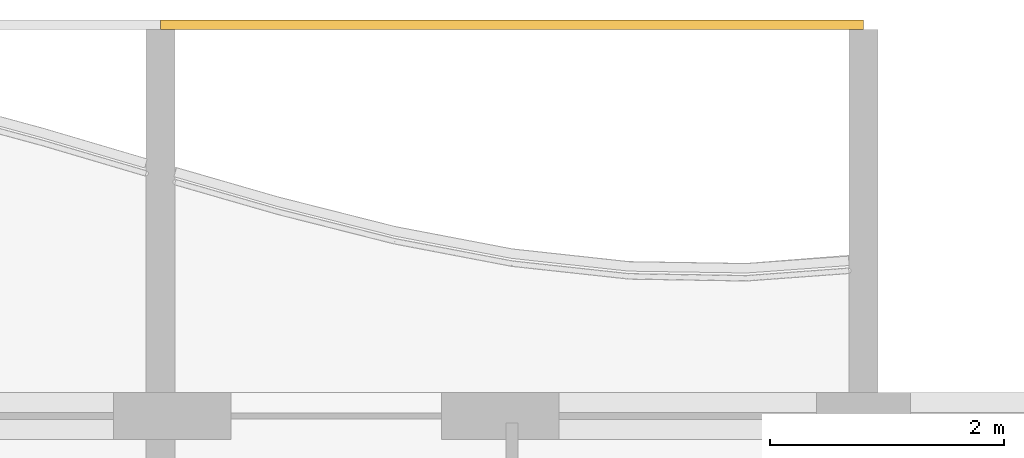
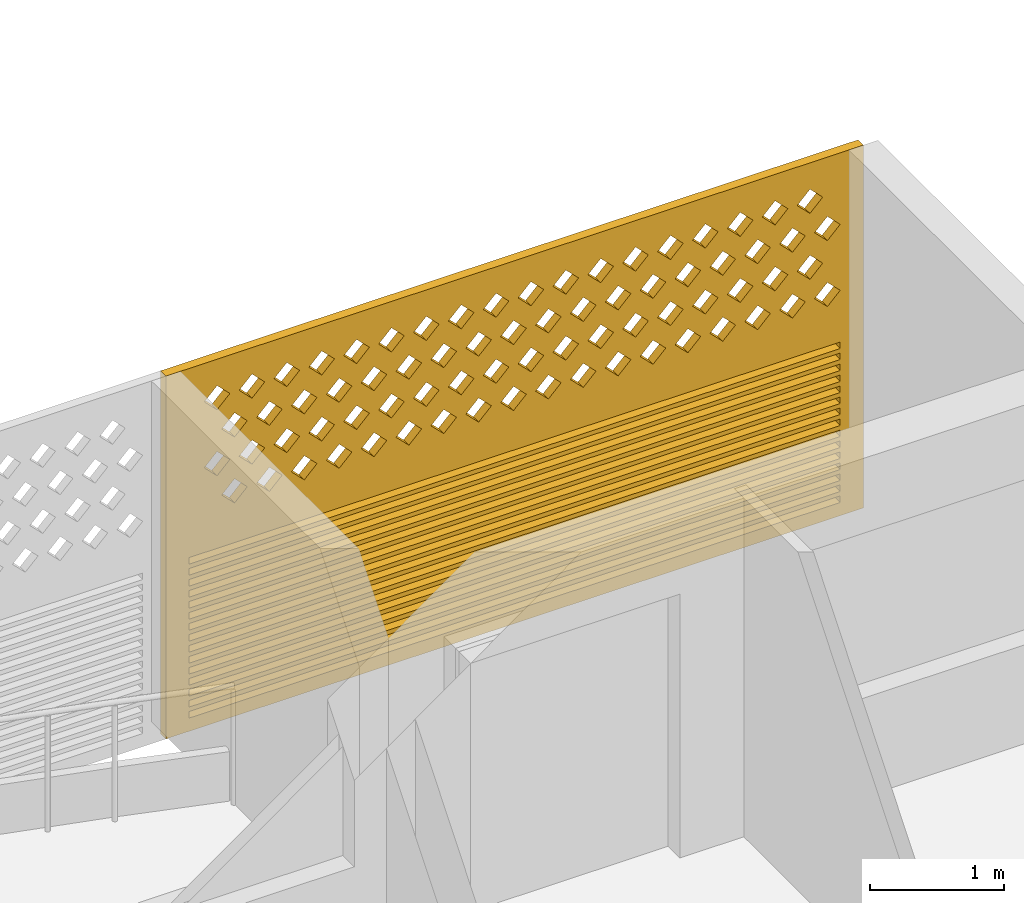
# One storey, part 19 of 27: 1 covering.
"""IFC4 building model written with IfcOpenShell, lengths in metres."""

from ifc_helpers import new_model, si_unit, direction, frame, origin, place, context, subcontext, project, spatial, polyline, outline, extrude, source, transform, mapped, material, material_profile, profile_set, type_object, element, save


model = new_model("IFC4")

# Units and contexts
model_context = context("Model", 3, precision=1e-05, world=origin(), true_north=direction((0.0, 1.0)))
body_context = subcontext(model_context, "Body", "Model", "MODEL_VIEW")
ifc_project = project(units=[si_unit("LENGTHUNIT", "METRE"), si_unit("AREAUNIT", "SQUARE_METRE"), si_unit("VOLUMEUNIT", "CUBIC_METRE"), si_unit("PLANEANGLEUNIT", "RADIAN"), si_unit("MASSUNIT", "GRAM", prefix="KILO")], contexts=[model_context])

# Site, building, storey
site_placement = place(None, origin())
site = spatial("IfcSite", under=ifc_project, at=site_placement, CompositionType="ELEMENT")
building_placement = place(site_placement, origin())
building = spatial("IfcBuilding", under=site, at=building_placement, Name="Poui Terraces", CompositionType="ELEMENT")
storey_placement = place(building_placement, frame((0.0, 0.0, 195.0)))
storey = spatial("IfcBuildingStorey", under=building, at=storey_placement, Name="L54", CompositionType="ELEMENT", Elevation=195.0)

# Covering
ifc_material = material(Name="Terracotta screen", Category="masonry")
ifc_material_profile = material_profile(ifc_material, outline(polyline([(-3.0, -1.64990234375), (3.0, -1.64990234375), (3.0, 1.64990234375), (-3.0, 1.64990234375), (-3.0, -1.64990234375)]), holes=[polyline([(-2.800048828125, 0.39990234375), (-2.68994140625, 0.2900390625), (-2.580078125, 0.39990234375), (-2.68994140625, 0.510009765625), (-2.800048828125, 0.39990234375)]), polyline([(-2.5, 0.39990234375), (-2.389892578125, 0.2900390625), (-2.280029296875, 0.39990234375), (-2.389892578125, 0.510009765625), (-2.5, 0.39990234375)]), polyline([(-2.199951171875, 0.39990234375), (-2.090087890625, 0.2900390625), (-1.97998046875, 0.39990234375), (-2.090087890625, 0.510009765625), (-2.199951171875, 0.39990234375)]), polyline([(-1.89990234375, 0.39990234375), (-1.7900390625, 0.2900390625), (-1.679931640625, 0.39990234375), (-1.7900390625, 0.510009765625), (-1.89990234375, 0.39990234375)]), polyline([(-1.60009765625, 0.39990234375), (-1.489990234375, 0.2900390625), (-1.3798828125, 0.39990234375), (-1.489990234375, 0.510009765625), (-1.60009765625, 0.39990234375)]), polyline([(-1.300048828125, 0.39990234375), (-1.18994140625, 0.2900390625), (-1.080078125, 0.39990234375), (-1.18994140625, 0.510009765625), (-1.300048828125, 0.39990234375)]), polyline([(-1.0, 0.39990234375), (-0.889892578125, 0.2900390625), (-0.780029296875, 0.39990234375), (-0.889892578125, 0.510009765625), (-1.0, 0.39990234375)]), polyline([(-0.699951171875, 0.39990234375), (-0.590087890625, 0.2900390625), (-0.47998046875, 0.39990234375), (-0.590087890625, 0.510009765625), (-0.699951171875, 0.39990234375)]), polyline([(-0.39990234375, 0.39990234375), (-0.2900390625, 0.2900390625), (-0.179931640625, 0.39990234375), (-0.2900390625, 0.510009765625), (-0.39990234375, 0.39990234375)]), polyline([(-0.10009765625, 0.39990234375), (0.010009765625, 0.2900390625), (0.1201171875, 0.39990234375), (0.010009765625, 0.510009765625), (-0.10009765625, 0.39990234375)]), polyline([(0.199951171875, 0.39990234375), (0.31005859375, 0.2900390625), (0.419921875, 0.39990234375), (0.31005859375, 0.510009765625), (0.199951171875, 0.39990234375)]), polyline([(0.5, 0.39990234375), (0.610107421875, 0.2900390625), (0.719970703125, 0.39990234375), (0.610107421875, 0.510009765625), (0.5, 0.39990234375)]), polyline([(0.800048828125, 0.39990234375), (0.909912109375, 0.2900390625), (1.02001953125, 0.39990234375), (0.909912109375, 0.510009765625), (0.800048828125, 0.39990234375)]), polyline([(1.10009765625, 0.39990234375), (1.2099609375, 0.2900390625), (1.320068359375, 0.39990234375), (1.2099609375, 0.510009765625), (1.10009765625, 0.39990234375)]), polyline([(1.39990234375, 0.39990234375), (1.510009765625, 0.2900390625), (1.6201171875, 0.39990234375), (1.510009765625, 0.510009765625), (1.39990234375, 0.39990234375)]), polyline([(1.699951171875, 0.39990234375), (1.81005859375, 0.2900390625), (1.919921875, 0.39990234375), (1.81005859375, 0.510009765625), (1.699951171875, 0.39990234375)]), polyline([(2.0, 0.39990234375), (2.110107421875, 0.2900390625), (2.219970703125, 0.39990234375), (2.110107421875, 0.510009765625), (2.0, 0.39990234375)]), polyline([(2.300048828125, 0.39990234375), (2.409912109375, 0.2900390625), (2.52001953125, 0.39990234375), (2.409912109375, 0.510009765625), (2.300048828125, 0.39990234375)]), polyline([(-2.64990234375, 0.699951171875), (-2.5400390625, 0.590087890625), (-2.429931640625, 0.699951171875), (-2.5400390625, 0.81005859375), (-2.64990234375, 0.699951171875)]), polyline([(-2.35009765625, 0.699951171875), (-2.239990234375, 0.590087890625), (-2.1298828125, 0.699951171875), (-2.239990234375, 0.81005859375), (-2.35009765625, 0.699951171875)]), polyline([(-2.050048828125, 0.699951171875), (-1.93994140625, 0.590087890625), (-1.830078125, 0.699951171875), (-1.93994140625, 0.81005859375), (-2.050048828125, 0.699951171875)]), polyline([(-1.75, 0.699951171875), (-1.639892578125, 0.590087890625), (-1.530029296875, 0.699951171875), (-1.639892578125, 0.81005859375), (-1.75, 0.699951171875)]), polyline([(-1.449951171875, 0.699951171875), (-1.340087890625, 0.590087890625), (-1.22998046875, 0.699951171875), (-1.340087890625, 0.81005859375), (-1.449951171875, 0.699951171875)]), polyline([(-1.14990234375, 0.699951171875), (-1.0400390625, 0.590087890625), (-0.929931640625, 0.699951171875), (-1.0400390625, 0.81005859375), (-1.14990234375, 0.699951171875)]), polyline([(-0.85009765625, 0.699951171875), (-0.739990234375, 0.590087890625), (-0.6298828125, 0.699951171875), (-0.739990234375, 0.81005859375), (-0.85009765625, 0.699951171875)]), polyline([(-0.550048828125, 0.699951171875), (-0.43994140625, 0.590087890625), (-0.330078125, 0.699951171875), (-0.43994140625, 0.81005859375), (-0.550048828125, 0.699951171875)]), polyline([(-0.25, 0.699951171875), (-0.139892578125, 0.590087890625), (-0.030029296875, 0.699951171875), (-0.139892578125, 0.81005859375), (-0.25, 0.699951171875)]), polyline([(0.050048828125, 0.699951171875), (0.159912109375, 0.590087890625), (0.27001953125, 0.699951171875), (0.159912109375, 0.81005859375), (0.050048828125, 0.699951171875)]), polyline([(0.35009765625, 0.699951171875), (0.4599609375, 0.590087890625), (0.570068359375, 0.699951171875), (0.4599609375, 0.81005859375), (0.35009765625, 0.699951171875)]), polyline([(0.64990234375, 0.699951171875), (0.760009765625, 0.590087890625), (0.8701171875, 0.699951171875), (0.760009765625, 0.81005859375), (0.64990234375, 0.699951171875)]), polyline([(0.949951171875, 0.699951171875), (1.06005859375, 0.590087890625), (1.169921875, 0.699951171875), (1.06005859375, 0.81005859375), (0.949951171875, 0.699951171875)]), polyline([(1.25, 0.699951171875), (1.360107421875, 0.590087890625), (1.469970703125, 0.699951171875), (1.360107421875, 0.81005859375), (1.25, 0.699951171875)]), polyline([(1.550048828125, 0.699951171875), (1.659912109375, 0.590087890625), (1.77001953125, 0.699951171875), (1.659912109375, 0.81005859375), (1.550048828125, 0.699951171875)]), polyline([(1.85009765625, 0.699951171875), (1.9599609375, 0.590087890625), (2.070068359375, 0.699951171875), (1.9599609375, 0.81005859375), (1.85009765625, 0.699951171875)]), polyline([(2.14990234375, 0.699951171875), (2.260009765625, 0.590087890625), (2.3701171875, 0.699951171875), (2.260009765625, 0.81005859375), (2.14990234375, 0.699951171875)]), polyline([(2.449951171875, 0.699951171875), (2.56005859375, 0.590087890625), (2.669921875, 0.699951171875), (2.56005859375, 0.81005859375), (2.449951171875, 0.699951171875)]), polyline([(-2.800048828125, 1.0), (-2.68994140625, 0.889892578125), (-2.580078125, 1.0), (-2.68994140625, 1.110107421875), (-2.800048828125, 1.0)]), polyline([(-2.5, 1.0), (-2.389892578125, 0.889892578125), (-2.280029296875, 1.0), (-2.389892578125, 1.110107421875), (-2.5, 1.0)]), polyline([(-2.199951171875, 1.0), (-2.090087890625, 0.889892578125), (-1.97998046875, 1.0), (-2.090087890625, 1.110107421875), (-2.199951171875, 1.0)]), polyline([(-1.89990234375, 1.0), (-1.7900390625, 0.889892578125), (-1.679931640625, 1.0), (-1.7900390625, 1.110107421875), (-1.89990234375, 1.0)]), polyline([(-1.60009765625, 1.0), (-1.489990234375, 0.889892578125), (-1.3798828125, 1.0), (-1.489990234375, 1.110107421875), (-1.60009765625, 1.0)]), polyline([(-1.300048828125, 1.0), (-1.18994140625, 0.889892578125), (-1.080078125, 1.0), (-1.18994140625, 1.110107421875), (-1.300048828125, 1.0)]), polyline([(-1.0, 1.0), (-0.889892578125, 0.889892578125), (-0.780029296875, 1.0), (-0.889892578125, 1.110107421875), (-1.0, 1.0)]), polyline([(-0.699951171875, 1.0), (-0.590087890625, 0.889892578125), (-0.47998046875, 1.0), (-0.590087890625, 1.110107421875), (-0.699951171875, 1.0)]), polyline([(-0.39990234375, 1.0), (-0.2900390625, 0.889892578125), (-0.179931640625, 1.0), (-0.2900390625, 1.110107421875), (-0.39990234375, 1.0)]), polyline([(-0.10009765625, 1.0), (0.010009765625, 0.889892578125), (0.1201171875, 1.0), (0.010009765625, 1.110107421875), (-0.10009765625, 1.0)]), polyline([(0.199951171875, 1.0), (0.31005859375, 0.889892578125), (0.419921875, 1.0), (0.31005859375, 1.110107421875), (0.199951171875, 1.0)]), polyline([(0.5, 1.0), (0.610107421875, 0.889892578125), (0.719970703125, 1.0), (0.610107421875, 1.110107421875), (0.5, 1.0)]), polyline([(0.800048828125, 1.0), (0.909912109375, 0.889892578125), (1.02001953125, 1.0), (0.909912109375, 1.110107421875), (0.800048828125, 1.0)]), polyline([(1.10009765625, 1.0), (1.2099609375, 0.889892578125), (1.320068359375, 1.0), (1.2099609375, 1.110107421875), (1.10009765625, 1.0)]), polyline([(1.39990234375, 1.0), (1.510009765625, 0.889892578125), (1.6201171875, 1.0), (1.510009765625, 1.110107421875), (1.39990234375, 1.0)]), polyline([(1.699951171875, 1.0), (1.81005859375, 0.889892578125), (1.919921875, 1.0), (1.81005859375, 1.110107421875), (1.699951171875, 1.0)]), polyline([(2.0, 1.0), (2.110107421875, 0.889892578125), (2.219970703125, 1.0), (2.110107421875, 1.110107421875), (2.0, 1.0)]), polyline([(2.300048828125, 1.0), (2.409912109375, 0.889892578125), (2.52001953125, 1.0), (2.409912109375, 1.110107421875), (2.300048828125, 1.0)]), polyline([(-2.64990234375, 1.300048828125), (-2.5400390625, 1.18994140625), (-2.429931640625, 1.300048828125), (-2.5400390625, 1.409912109375), (-2.64990234375, 1.300048828125)]), polyline([(-2.35009765625, 1.300048828125), (-2.239990234375, 1.18994140625), (-2.1298828125, 1.300048828125), (-2.239990234375, 1.409912109375), (-2.35009765625, 1.300048828125)]), polyline([(-2.050048828125, 1.300048828125), (-1.93994140625, 1.18994140625), (-1.830078125, 1.300048828125), (-1.93994140625, 1.409912109375), (-2.050048828125, 1.300048828125)]), polyline([(-1.75, 1.300048828125), (-1.639892578125, 1.18994140625), (-1.530029296875, 1.300048828125), (-1.639892578125, 1.409912109375), (-1.75, 1.300048828125)]), polyline([(-1.449951171875, 1.300048828125), (-1.340087890625, 1.18994140625), (-1.22998046875, 1.300048828125), (-1.340087890625, 1.409912109375), (-1.449951171875, 1.300048828125)]), polyline([(-1.14990234375, 1.300048828125), (-1.0400390625, 1.18994140625), (-0.929931640625, 1.300048828125), (-1.0400390625, 1.409912109375), (-1.14990234375, 1.300048828125)]), polyline([(-0.85009765625, 1.300048828125), (-0.739990234375, 1.18994140625), (-0.6298828125, 1.300048828125), (-0.739990234375, 1.409912109375), (-0.85009765625, 1.300048828125)]), polyline([(-0.550048828125, 1.300048828125), (-0.43994140625, 1.18994140625), (-0.330078125, 1.300048828125), (-0.43994140625, 1.409912109375), (-0.550048828125, 1.300048828125)]), polyline([(-0.25, 1.300048828125), (-0.139892578125, 1.18994140625), (-0.030029296875, 1.300048828125), (-0.139892578125, 1.409912109375), (-0.25, 1.300048828125)]), polyline([(0.050048828125, 1.300048828125), (0.159912109375, 1.18994140625), (0.27001953125, 1.300048828125), (0.159912109375, 1.409912109375), (0.050048828125, 1.300048828125)]), polyline([(0.35009765625, 1.300048828125), (0.4599609375, 1.18994140625), (0.570068359375, 1.300048828125), (0.4599609375, 1.409912109375), (0.35009765625, 1.300048828125)]), polyline([(0.64990234375, 1.300048828125), (0.760009765625, 1.18994140625), (0.8701171875, 1.300048828125), (0.760009765625, 1.409912109375), (0.64990234375, 1.300048828125)]), polyline([(0.949951171875, 1.300048828125), (1.06005859375, 1.18994140625), (1.169921875, 1.300048828125), (1.06005859375, 1.409912109375), (0.949951171875, 1.300048828125)]), polyline([(1.25, 1.300048828125), (1.360107421875, 1.18994140625), (1.469970703125, 1.300048828125), (1.360107421875, 1.409912109375), (1.25, 1.300048828125)]), polyline([(1.550048828125, 1.300048828125), (1.659912109375, 1.18994140625), (1.77001953125, 1.300048828125), (1.659912109375, 1.409912109375), (1.550048828125, 1.300048828125)]), polyline([(1.85009765625, 1.300048828125), (1.9599609375, 1.18994140625), (2.070068359375, 1.300048828125), (1.9599609375, 1.409912109375), (1.85009765625, 1.300048828125)]), polyline([(2.14990234375, 1.300048828125), (2.260009765625, 1.18994140625), (2.3701171875, 1.300048828125), (2.260009765625, 1.409912109375), (2.14990234375, 1.300048828125)]), polyline([(2.449951171875, 1.300048828125), (2.56005859375, 1.18994140625), (2.669921875, 1.300048828125), (2.56005859375, 1.409912109375), (2.449951171875, 1.300048828125)]), polyline([(-2.800048828125, -1.530029296875), (2.800048828125, -1.530029296875), (2.800048828125, -1.469970703125), (-2.800048828125, -1.469970703125), (-2.800048828125, -1.530029296875)]), polyline([(-2.800048828125, -1.429931640625), (2.800048828125, -1.429931640625), (2.800048828125, -1.3701171875), (-2.800048828125, -1.3701171875), (-2.800048828125, -1.429931640625)]), polyline([(-2.800048828125, -1.330078125), (2.800048828125, -1.330078125), (2.800048828125, -1.27001953125), (-2.800048828125, -1.27001953125), (-2.800048828125, -1.330078125)]), polyline([(-2.800048828125, -1.22998046875), (2.800048828125, -1.22998046875), (2.800048828125, -1.169921875), (-2.800048828125, -1.169921875), (-2.800048828125, -1.22998046875)]), polyline([(-2.800048828125, -1.1298828125), (2.800048828125, -1.1298828125), (2.800048828125, -1.070068359375), (-2.800048828125, -1.070068359375), (-2.800048828125, -1.1298828125)]), polyline([(-2.800048828125, -1.030029296875), (2.800048828125, -1.030029296875), (2.800048828125, -0.969970703125), (-2.800048828125, -0.969970703125), (-2.800048828125, -1.030029296875)]), polyline([(-2.800048828125, -0.929931640625), (2.800048828125, -0.929931640625), (2.800048828125, -0.8701171875), (-2.800048828125, -0.8701171875), (-2.800048828125, -0.929931640625)]), polyline([(-2.800048828125, -0.830078125), (2.800048828125, -0.830078125), (2.800048828125, -0.77001953125), (-2.800048828125, -0.77001953125), (-2.800048828125, -0.830078125)]), polyline([(-2.800048828125, -0.72998046875), (2.800048828125, -0.72998046875), (2.800048828125, -0.669921875), (-2.800048828125, -0.669921875), (-2.800048828125, -0.72998046875)]), polyline([(-2.800048828125, -0.6298828125), (2.800048828125, -0.6298828125), (2.800048828125, -0.570068359375), (-2.800048828125, -0.570068359375), (-2.800048828125, -0.6298828125)]), polyline([(-2.800048828125, -0.530029296875), (2.800048828125, -0.530029296875), (2.800048828125, -0.469970703125), (-2.800048828125, -0.469970703125), (-2.800048828125, -0.530029296875)]), polyline([(-2.800048828125, -0.429931640625), (2.800048828125, -0.429931640625), (2.800048828125, -0.3701171875), (-2.800048828125, -0.3701171875), (-2.800048828125, -0.429931640625)]), polyline([(-2.800048828125, -0.330078125), (2.800048828125, -0.330078125), (2.800048828125, -0.27001953125), (-2.800048828125, -0.27001953125), (-2.800048828125, -0.330078125)]), polyline([(-2.800048828125, -0.22998046875), (2.800048828125, -0.22998046875), (2.800048828125, -0.169921875), (-2.800048828125, -0.169921875), (-2.800048828125, -0.22998046875)]), polyline([(-2.800048828125, -0.1298828125), (2.800048828125, -0.1298828125), (2.800048828125, -0.070068359375), (-2.800048828125, -0.070068359375), (-2.800048828125, -0.1298828125)])]), Name="TERRACOTTA SCREEN AND JALOUSIE LOUVRE 6000X3300")
ifc_profile_set = profile_set([ifc_material_profile], Name="Terracotta screen")
covering_type = type_object("IfcCoveringType", Name="TERRACOTTA SCREEN AND JALOUSIE LOUVRE 6000X3300", PredefinedType="CLADDING", material=ifc_profile_set)
shared_shape = source(origin(), body_context, "Body", "SweptSolid", [
    extrude(outline(polyline([(-3.0, -1.64990234375), (3.0, -1.64990234375), (3.0, 1.64990234375), (-3.0, 1.64990234375), (-3.0, -1.64990234375)]), holes=[polyline([(-2.800048828125, 0.39990234375), (-2.68994140625, 0.2900390625), (-2.580078125, 0.39990234375), (-2.68994140625, 0.510009765625), (-2.800048828125, 0.39990234375)]), polyline([(-2.5, 0.39990234375), (-2.389892578125, 0.2900390625), (-2.280029296875, 0.39990234375), (-2.389892578125, 0.510009765625), (-2.5, 0.39990234375)]), polyline([(-2.199951171875, 0.39990234375), (-2.090087890625, 0.2900390625), (-1.97998046875, 0.39990234375), (-2.090087890625, 0.510009765625), (-2.199951171875, 0.39990234375)]), polyline([(-1.89990234375, 0.39990234375), (-1.7900390625, 0.2900390625), (-1.679931640625, 0.39990234375), (-1.7900390625, 0.510009765625), (-1.89990234375, 0.39990234375)]), polyline([(-1.60009765625, 0.39990234375), (-1.489990234375, 0.2900390625), (-1.3798828125, 0.39990234375), (-1.489990234375, 0.510009765625), (-1.60009765625, 0.39990234375)]), polyline([(-1.300048828125, 0.39990234375), (-1.18994140625, 0.2900390625), (-1.080078125, 0.39990234375), (-1.18994140625, 0.510009765625), (-1.300048828125, 0.39990234375)]), polyline([(-1.0, 0.39990234375), (-0.889892578125, 0.2900390625), (-0.780029296875, 0.39990234375), (-0.889892578125, 0.510009765625), (-1.0, 0.39990234375)]), polyline([(-0.699951171875, 0.39990234375), (-0.590087890625, 0.2900390625), (-0.47998046875, 0.39990234375), (-0.590087890625, 0.510009765625), (-0.699951171875, 0.39990234375)]), polyline([(-0.39990234375, 0.39990234375), (-0.2900390625, 0.2900390625), (-0.179931640625, 0.39990234375), (-0.2900390625, 0.510009765625), (-0.39990234375, 0.39990234375)]), polyline([(-0.10009765625, 0.39990234375), (0.010009765625, 0.2900390625), (0.1201171875, 0.39990234375), (0.010009765625, 0.510009765625), (-0.10009765625, 0.39990234375)]), polyline([(0.199951171875, 0.39990234375), (0.31005859375, 0.2900390625), (0.419921875, 0.39990234375), (0.31005859375, 0.510009765625), (0.199951171875, 0.39990234375)]), polyline([(0.5, 0.39990234375), (0.610107421875, 0.2900390625), (0.719970703125, 0.39990234375), (0.610107421875, 0.510009765625), (0.5, 0.39990234375)]), polyline([(0.800048828125, 0.39990234375), (0.909912109375, 0.2900390625), (1.02001953125, 0.39990234375), (0.909912109375, 0.510009765625), (0.800048828125, 0.39990234375)]), polyline([(1.10009765625, 0.39990234375), (1.2099609375, 0.2900390625), (1.320068359375, 0.39990234375), (1.2099609375, 0.510009765625), (1.10009765625, 0.39990234375)]), polyline([(1.39990234375, 0.39990234375), (1.510009765625, 0.2900390625), (1.6201171875, 0.39990234375), (1.510009765625, 0.510009765625), (1.39990234375, 0.39990234375)]), polyline([(1.699951171875, 0.39990234375), (1.81005859375, 0.2900390625), (1.919921875, 0.39990234375), (1.81005859375, 0.510009765625), (1.699951171875, 0.39990234375)]), polyline([(2.0, 0.39990234375), (2.110107421875, 0.2900390625), (2.219970703125, 0.39990234375), (2.110107421875, 0.510009765625), (2.0, 0.39990234375)]), polyline([(2.300048828125, 0.39990234375), (2.409912109375, 0.2900390625), (2.52001953125, 0.39990234375), (2.409912109375, 0.510009765625), (2.300048828125, 0.39990234375)]), polyline([(-2.64990234375, 0.699951171875), (-2.5400390625, 0.590087890625), (-2.429931640625, 0.699951171875), (-2.5400390625, 0.81005859375), (-2.64990234375, 0.699951171875)]), polyline([(-2.35009765625, 0.699951171875), (-2.239990234375, 0.590087890625), (-2.1298828125, 0.699951171875), (-2.239990234375, 0.81005859375), (-2.35009765625, 0.699951171875)]), polyline([(-2.050048828125, 0.699951171875), (-1.93994140625, 0.590087890625), (-1.830078125, 0.699951171875), (-1.93994140625, 0.81005859375), (-2.050048828125, 0.699951171875)]), polyline([(-1.75, 0.699951171875), (-1.639892578125, 0.590087890625), (-1.530029296875, 0.699951171875), (-1.639892578125, 0.81005859375), (-1.75, 0.699951171875)]), polyline([(-1.449951171875, 0.699951171875), (-1.340087890625, 0.590087890625), (-1.22998046875, 0.699951171875), (-1.340087890625, 0.81005859375), (-1.449951171875, 0.699951171875)]), polyline([(-1.14990234375, 0.699951171875), (-1.0400390625, 0.590087890625), (-0.929931640625, 0.699951171875), (-1.0400390625, 0.81005859375), (-1.14990234375, 0.699951171875)]), polyline([(-0.85009765625, 0.699951171875), (-0.739990234375, 0.590087890625), (-0.6298828125, 0.699951171875), (-0.739990234375, 0.81005859375), (-0.85009765625, 0.699951171875)]), polyline([(-0.550048828125, 0.699951171875), (-0.43994140625, 0.590087890625), (-0.330078125, 0.699951171875), (-0.43994140625, 0.81005859375), (-0.550048828125, 0.699951171875)]), polyline([(-0.25, 0.699951171875), (-0.139892578125, 0.590087890625), (-0.030029296875, 0.699951171875), (-0.139892578125, 0.81005859375), (-0.25, 0.699951171875)]), polyline([(0.050048828125, 0.699951171875), (0.159912109375, 0.590087890625), (0.27001953125, 0.699951171875), (0.159912109375, 0.81005859375), (0.050048828125, 0.699951171875)]), polyline([(0.35009765625, 0.699951171875), (0.4599609375, 0.590087890625), (0.570068359375, 0.699951171875), (0.4599609375, 0.81005859375), (0.35009765625, 0.699951171875)]), polyline([(0.64990234375, 0.699951171875), (0.760009765625, 0.590087890625), (0.8701171875, 0.699951171875), (0.760009765625, 0.81005859375), (0.64990234375, 0.699951171875)]), polyline([(0.949951171875, 0.699951171875), (1.06005859375, 0.590087890625), (1.169921875, 0.699951171875), (1.06005859375, 0.81005859375), (0.949951171875, 0.699951171875)]), polyline([(1.25, 0.699951171875), (1.360107421875, 0.590087890625), (1.469970703125, 0.699951171875), (1.360107421875, 0.81005859375), (1.25, 0.699951171875)]), polyline([(1.550048828125, 0.699951171875), (1.659912109375, 0.590087890625), (1.77001953125, 0.699951171875), (1.659912109375, 0.81005859375), (1.550048828125, 0.699951171875)]), polyline([(1.85009765625, 0.699951171875), (1.9599609375, 0.590087890625), (2.070068359375, 0.699951171875), (1.9599609375, 0.81005859375), (1.85009765625, 0.699951171875)]), polyline([(2.14990234375, 0.699951171875), (2.260009765625, 0.590087890625), (2.3701171875, 0.699951171875), (2.260009765625, 0.81005859375), (2.14990234375, 0.699951171875)]), polyline([(2.449951171875, 0.699951171875), (2.56005859375, 0.590087890625), (2.669921875, 0.699951171875), (2.56005859375, 0.81005859375), (2.449951171875, 0.699951171875)]), polyline([(-2.800048828125, 1.0), (-2.68994140625, 0.889892578125), (-2.580078125, 1.0), (-2.68994140625, 1.110107421875), (-2.800048828125, 1.0)]), polyline([(-2.5, 1.0), (-2.389892578125, 0.889892578125), (-2.280029296875, 1.0), (-2.389892578125, 1.110107421875), (-2.5, 1.0)]), polyline([(-2.199951171875, 1.0), (-2.090087890625, 0.889892578125), (-1.97998046875, 1.0), (-2.090087890625, 1.110107421875), (-2.199951171875, 1.0)]), polyline([(-1.89990234375, 1.0), (-1.7900390625, 0.889892578125), (-1.679931640625, 1.0), (-1.7900390625, 1.110107421875), (-1.89990234375, 1.0)]), polyline([(-1.60009765625, 1.0), (-1.489990234375, 0.889892578125), (-1.3798828125, 1.0), (-1.489990234375, 1.110107421875), (-1.60009765625, 1.0)]), polyline([(-1.300048828125, 1.0), (-1.18994140625, 0.889892578125), (-1.080078125, 1.0), (-1.18994140625, 1.110107421875), (-1.300048828125, 1.0)]), polyline([(-1.0, 1.0), (-0.889892578125, 0.889892578125), (-0.780029296875, 1.0), (-0.889892578125, 1.110107421875), (-1.0, 1.0)]), polyline([(-0.699951171875, 1.0), (-0.590087890625, 0.889892578125), (-0.47998046875, 1.0), (-0.590087890625, 1.110107421875), (-0.699951171875, 1.0)]), polyline([(-0.39990234375, 1.0), (-0.2900390625, 0.889892578125), (-0.179931640625, 1.0), (-0.2900390625, 1.110107421875), (-0.39990234375, 1.0)]), polyline([(-0.10009765625, 1.0), (0.010009765625, 0.889892578125), (0.1201171875, 1.0), (0.010009765625, 1.110107421875), (-0.10009765625, 1.0)]), polyline([(0.199951171875, 1.0), (0.31005859375, 0.889892578125), (0.419921875, 1.0), (0.31005859375, 1.110107421875), (0.199951171875, 1.0)]), polyline([(0.5, 1.0), (0.610107421875, 0.889892578125), (0.719970703125, 1.0), (0.610107421875, 1.110107421875), (0.5, 1.0)]), polyline([(0.800048828125, 1.0), (0.909912109375, 0.889892578125), (1.02001953125, 1.0), (0.909912109375, 1.110107421875), (0.800048828125, 1.0)]), polyline([(1.10009765625, 1.0), (1.2099609375, 0.889892578125), (1.320068359375, 1.0), (1.2099609375, 1.110107421875), (1.10009765625, 1.0)]), polyline([(1.39990234375, 1.0), (1.510009765625, 0.889892578125), (1.6201171875, 1.0), (1.510009765625, 1.110107421875), (1.39990234375, 1.0)]), polyline([(1.699951171875, 1.0), (1.81005859375, 0.889892578125), (1.919921875, 1.0), (1.81005859375, 1.110107421875), (1.699951171875, 1.0)]), polyline([(2.0, 1.0), (2.110107421875, 0.889892578125), (2.219970703125, 1.0), (2.110107421875, 1.110107421875), (2.0, 1.0)]), polyline([(2.300048828125, 1.0), (2.409912109375, 0.889892578125), (2.52001953125, 1.0), (2.409912109375, 1.110107421875), (2.300048828125, 1.0)]), polyline([(-2.64990234375, 1.300048828125), (-2.5400390625, 1.18994140625), (-2.429931640625, 1.300048828125), (-2.5400390625, 1.409912109375), (-2.64990234375, 1.300048828125)]), polyline([(-2.35009765625, 1.300048828125), (-2.239990234375, 1.18994140625), (-2.1298828125, 1.300048828125), (-2.239990234375, 1.409912109375), (-2.35009765625, 1.300048828125)]), polyline([(-2.050048828125, 1.300048828125), (-1.93994140625, 1.18994140625), (-1.830078125, 1.300048828125), (-1.93994140625, 1.409912109375), (-2.050048828125, 1.300048828125)]), polyline([(-1.75, 1.300048828125), (-1.639892578125, 1.18994140625), (-1.530029296875, 1.300048828125), (-1.639892578125, 1.409912109375), (-1.75, 1.300048828125)]), polyline([(-1.449951171875, 1.300048828125), (-1.340087890625, 1.18994140625), (-1.22998046875, 1.300048828125), (-1.340087890625, 1.409912109375), (-1.449951171875, 1.300048828125)]), polyline([(-1.14990234375, 1.300048828125), (-1.0400390625, 1.18994140625), (-0.929931640625, 1.300048828125), (-1.0400390625, 1.409912109375), (-1.14990234375, 1.300048828125)]), polyline([(-0.85009765625, 1.300048828125), (-0.739990234375, 1.18994140625), (-0.6298828125, 1.300048828125), (-0.739990234375, 1.409912109375), (-0.85009765625, 1.300048828125)]), polyline([(-0.550048828125, 1.300048828125), (-0.43994140625, 1.18994140625), (-0.330078125, 1.300048828125), (-0.43994140625, 1.409912109375), (-0.550048828125, 1.300048828125)]), polyline([(-0.25, 1.300048828125), (-0.139892578125, 1.18994140625), (-0.030029296875, 1.300048828125), (-0.139892578125, 1.409912109375), (-0.25, 1.300048828125)]), polyline([(0.050048828125, 1.300048828125), (0.159912109375, 1.18994140625), (0.27001953125, 1.300048828125), (0.159912109375, 1.409912109375), (0.050048828125, 1.300048828125)]), polyline([(0.35009765625, 1.300048828125), (0.4599609375, 1.18994140625), (0.570068359375, 1.300048828125), (0.4599609375, 1.409912109375), (0.35009765625, 1.300048828125)]), polyline([(0.64990234375, 1.300048828125), (0.760009765625, 1.18994140625), (0.8701171875, 1.300048828125), (0.760009765625, 1.409912109375), (0.64990234375, 1.300048828125)]), polyline([(0.949951171875, 1.300048828125), (1.06005859375, 1.18994140625), (1.169921875, 1.300048828125), (1.06005859375, 1.409912109375), (0.949951171875, 1.300048828125)]), polyline([(1.25, 1.300048828125), (1.360107421875, 1.18994140625), (1.469970703125, 1.300048828125), (1.360107421875, 1.409912109375), (1.25, 1.300048828125)]), polyline([(1.550048828125, 1.300048828125), (1.659912109375, 1.18994140625), (1.77001953125, 1.300048828125), (1.659912109375, 1.409912109375), (1.550048828125, 1.300048828125)]), polyline([(1.85009765625, 1.300048828125), (1.9599609375, 1.18994140625), (2.070068359375, 1.300048828125), (1.9599609375, 1.409912109375), (1.85009765625, 1.300048828125)]), polyline([(2.14990234375, 1.300048828125), (2.260009765625, 1.18994140625), (2.3701171875, 1.300048828125), (2.260009765625, 1.409912109375), (2.14990234375, 1.300048828125)]), polyline([(2.449951171875, 1.300048828125), (2.56005859375, 1.18994140625), (2.669921875, 1.300048828125), (2.56005859375, 1.409912109375), (2.449951171875, 1.300048828125)]), polyline([(-2.800048828125, -1.530029296875), (2.800048828125, -1.530029296875), (2.800048828125, -1.469970703125), (-2.800048828125, -1.469970703125), (-2.800048828125, -1.530029296875)]), polyline([(-2.800048828125, -1.429931640625), (2.800048828125, -1.429931640625), (2.800048828125, -1.3701171875), (-2.800048828125, -1.3701171875), (-2.800048828125, -1.429931640625)]), polyline([(-2.800048828125, -1.330078125), (2.800048828125, -1.330078125), (2.800048828125, -1.27001953125), (-2.800048828125, -1.27001953125), (-2.800048828125, -1.330078125)]), polyline([(-2.800048828125, -1.22998046875), (2.800048828125, -1.22998046875), (2.800048828125, -1.169921875), (-2.800048828125, -1.169921875), (-2.800048828125, -1.22998046875)]), polyline([(-2.800048828125, -1.1298828125), (2.800048828125, -1.1298828125), (2.800048828125, -1.070068359375), (-2.800048828125, -1.070068359375), (-2.800048828125, -1.1298828125)]), polyline([(-2.800048828125, -1.030029296875), (2.800048828125, -1.030029296875), (2.800048828125, -0.969970703125), (-2.800048828125, -0.969970703125), (-2.800048828125, -1.030029296875)]), polyline([(-2.800048828125, -0.929931640625), (2.800048828125, -0.929931640625), (2.800048828125, -0.8701171875), (-2.800048828125, -0.8701171875), (-2.800048828125, -0.929931640625)]), polyline([(-2.800048828125, -0.830078125), (2.800048828125, -0.830078125), (2.800048828125, -0.77001953125), (-2.800048828125, -0.77001953125), (-2.800048828125, -0.830078125)]), polyline([(-2.800048828125, -0.72998046875), (2.800048828125, -0.72998046875), (2.800048828125, -0.669921875), (-2.800048828125, -0.669921875), (-2.800048828125, -0.72998046875)]), polyline([(-2.800048828125, -0.6298828125), (2.800048828125, -0.6298828125), (2.800048828125, -0.570068359375), (-2.800048828125, -0.570068359375), (-2.800048828125, -0.6298828125)]), polyline([(-2.800048828125, -0.530029296875), (2.800048828125, -0.530029296875), (2.800048828125, -0.469970703125), (-2.800048828125, -0.469970703125), (-2.800048828125, -0.530029296875)]), polyline([(-2.800048828125, -0.429931640625), (2.800048828125, -0.429931640625), (2.800048828125, -0.3701171875), (-2.800048828125, -0.3701171875), (-2.800048828125, -0.429931640625)]), polyline([(-2.800048828125, -0.330078125), (2.800048828125, -0.330078125), (2.800048828125, -0.27001953125), (-2.800048828125, -0.27001953125), (-2.800048828125, -0.330078125)]), polyline([(-2.800048828125, -0.22998046875), (2.800048828125, -0.22998046875), (2.800048828125, -0.169921875), (-2.800048828125, -0.169921875), (-2.800048828125, -0.22998046875)]), polyline([(-2.800048828125, -0.1298828125), (2.800048828125, -0.1298828125), (2.800048828125, -0.070068359375), (-2.800048828125, -0.070068359375), (-2.800048828125, -0.1298828125)])]), origin(), (0.0, 0.0, 1.0), 0.080078125),
])
covering_placement = place(storey_placement, frame((33.0, 44.5, 1.449951171875), z_axis=(0.0, 1.0, 0.0), x_axis=(-1.0, 0.0, 0.0)))
element("IfcCovering", 1, at=covering_placement, inside=storey, type_object=covering_type, Name="SOLAR SCREEN AND JALOUSIE LOUVRE", PredefinedType="CLADDING", context=body_context, shape_type="MappedRepresentation", body=[
    mapped(shared_shape, transform((0.0, 0.0, 0.0))),
])

save(model, "model.ifc")
